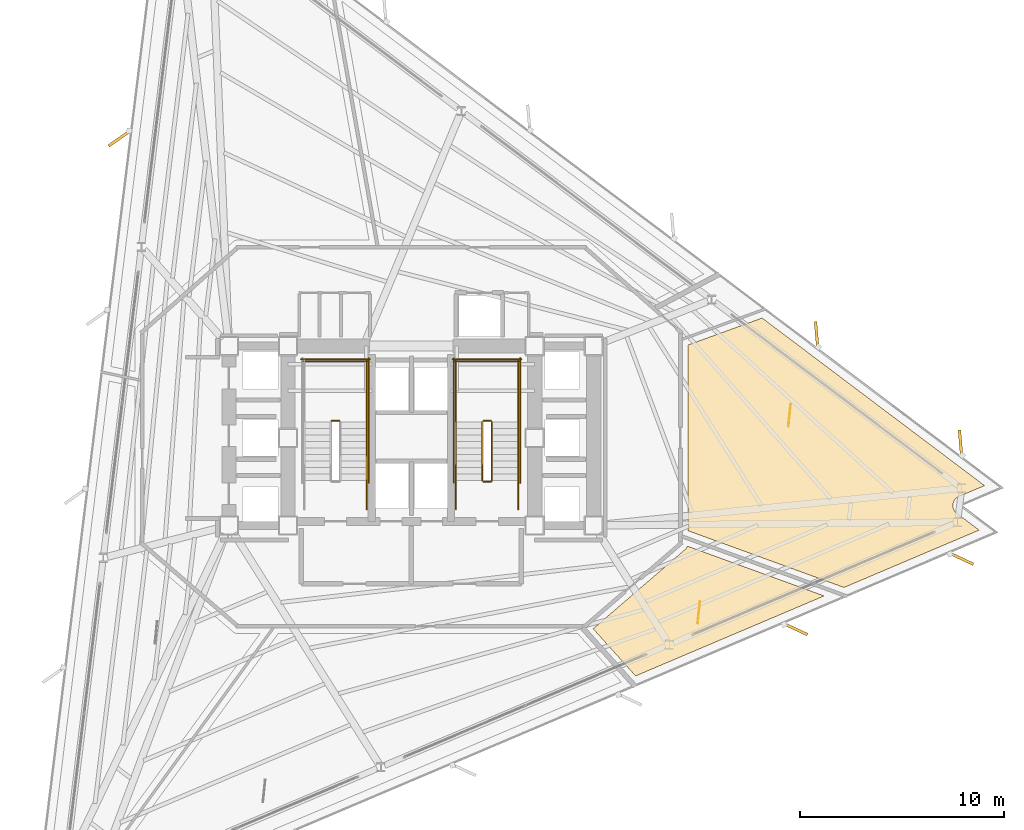
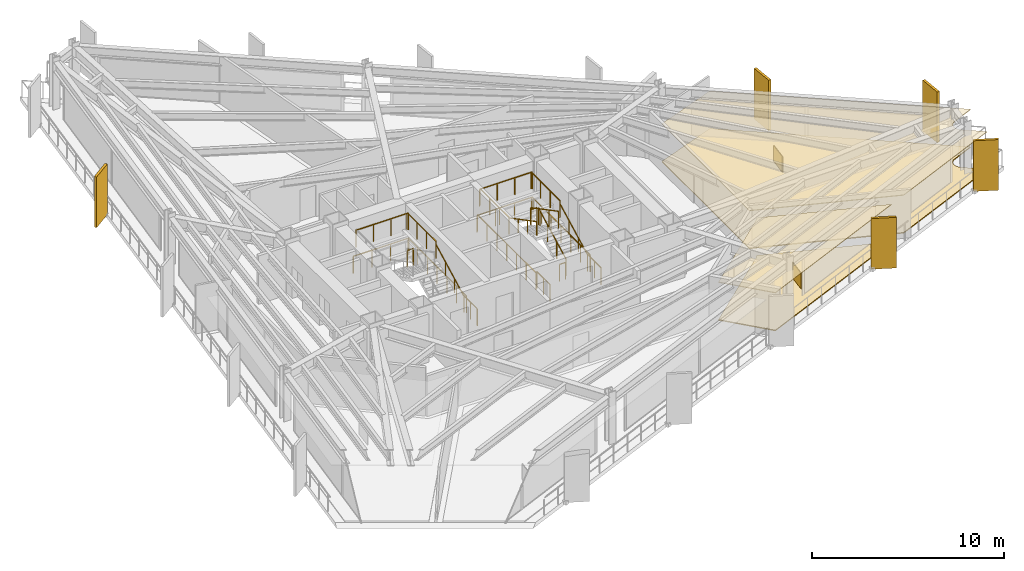
# One storey, part 12 of 13: 21 railings, 6 coverings, 5 shading devices.
"""IFC4 building model written with IfcOpenShell, lengths in metres."""

from ifc_helpers import new_model, si_unit, direction, frame, origin, origin_2d, place, context, subcontext, project, spatial, polyline, rectangle, outline, extrude, material, layer, layer_set, type_object, element, save


model = new_model("IFC4")

# Units and contexts
model_context = context("Model", 3, precision=1e-05, world=origin(), true_north=direction((0.0, 1.0)))
body_context = subcontext(model_context, "Body", "Model", "MODEL_VIEW")
ifc_project = project(units=[si_unit("LENGTHUNIT", "METRE"), si_unit("AREAUNIT", "SQUARE_METRE"), si_unit("VOLUMEUNIT", "CUBIC_METRE"), si_unit("PLANEANGLEUNIT", "RADIAN"), si_unit("MASSUNIT", "GRAM", prefix="KILO")], contexts=[model_context])

# Site, building, storey
site_placement = place(None, origin())
site = spatial("IfcSite", under=ifc_project, at=site_placement, CompositionType="ELEMENT")
building_placement = place(site_placement, origin())
building = spatial("IfcBuilding", under=site, at=building_placement, Name="Rocaltana Carrier Exchange", CompositionType="ELEMENT")
storey_placement = place(building_placement, frame((0.0, 0.0, 69.760009765625)))
storey = spatial("IfcBuildingStorey", under=building, at=storey_placement, Name="L21", CompositionType="ELEMENT", Elevation=69.760009765625)

# Coverings
ifc_material_1 = material(Name="Calcium Sulphate & Aluminium Pedestal", Category="aluminium")
ifc_layer_1 = layer(ifc_material_1, 0.06005859375)
ifc_layer_set_1 = layer_set([ifc_layer_1], Name="Calcium Sulphate & Aluminium Pedestal")
covering_type_1 = type_object("IfcCoveringType", Name="Anti-Static Raised Exchange Access Floor 60", PredefinedType="FLOORING", material=ifc_layer_set_1)
covering_1_placement = place(storey_placement, origin())
element("IfcCovering", 1, at=covering_1_placement, inside=storey, type_object=covering_type_1, Name="L21 Cloud Architecture Office Finish Floor", PredefinedType="FLOORING", context=body_context, shape_type="SweptSolid", body=[
    extrude(outline(polyline([(8.917236328125, -9.365478515625), (13.43505859375, -5.47265625), (13.44482421875, -5.4638671875), (13.450439453125, -5.45849609375), (13.468994140625, -5.439208984375), (13.47412109375, -5.433349609375), (13.490478515625, -5.41259765625), (13.4951171875, -5.40625), (13.509521484375, -5.3837890625), (13.51318359375, -5.377197265625), (13.525634765625, -5.353515625), (13.52880859375, -5.346435546875), (13.538818359375, -5.32177734375), (13.541259765625, -5.314453125), (13.5419921875, -5.31201171875), (20.251708984375, -7.754150390625), (11.001708984375, -11.6806640625), (8.917236328125, -9.365478515625)])), origin(), (0.0, 0.0, 1.0), 0.06005859375),
])
covering_2_placement = place(storey_placement, origin())
element("IfcCovering", 2, at=covering_2_placement, inside=storey, type_object=covering_type_1, Name="L21 Optical Switching Laboratory Finish Floor", PredefinedType="FLOORING", context=body_context, shape_type="SweptSolid", body=[
    extrude(outline(polyline([(28.1201171875, -2.344482421875), (26.860107421875, -2.87939453125), (26.847412109375, -2.885009765625), (26.82958984375, -2.893798828125), (26.80517578125, -2.906982421875), (26.7880859375, -2.91748046875), (26.76513671875, -2.933349609375), (26.749267578125, -2.9453125), (26.727783203125, -2.96337890625), (26.71337890625, -2.97705078125), (26.69384765625, -2.9970703125), (26.6806640625, -3.01220703125), (26.663330078125, -3.033935546875), (26.65185546875, -3.050048828125), (26.63671875, -3.073486328125), (26.626708984375, -3.0908203125), (26.614013671875, -3.11572265625), (26.60595703125, -3.134033203125), (26.595703125, -3.159912109375), (26.589599609375, -3.178955078125), (26.58203125, -3.205810546875), (26.57763671875, -3.225341796875), (26.57275390625, -3.252685546875), (26.5703125, -3.2724609375), (26.568359375, -3.30029296875), (26.56787109375, -3.3203125), (26.568603515625, -3.34814453125), (26.5703125, -3.3681640625), (26.57373046875, -3.395751953125), (26.577392578125, -3.415283203125), (26.58349609375, -3.442626953125), (26.589111328125, -3.4619140625), (26.597900390625, -3.48828125), (26.605224609375, -3.5068359375), (26.616943359375, -3.5322265625), (26.6259765625, -3.5498046875), (26.639892578125, -3.573974609375), (26.65087890625, -3.5908203125), (26.667236328125, -3.61328125), (26.6796875, -3.62890625), (26.6982421875, -3.64990234375), (26.712158203125, -3.6640625), (26.732666015625, -3.68310546875), (26.748046875, -3.69580078125), (26.7587890625, -3.70458984375), (27.851806640625, -4.528076171875), (21.223388671875, -7.341552734375), (13.56005859375, -4.55224609375), (13.56005859375, 4.55224609375), (17.20654296875, 5.87939453125), (28.1201171875, -2.344482421875)])), origin(), (0.0, 0.0, 1.0), 0.06005859375),
])
ifc_material_2 = material(Name="Mineral Fibre & Powder-Coated Aluminium", Category="aluminium")
ifc_layer_2 = layer(ifc_material_2, 0.044921875)
ifc_layer_set_2 = layer_set([ifc_layer_2], Name="Mineral Fibre & Powder-Coated Aluminium")
covering_type_2 = type_object("IfcCoveringType", Name="Micro-Perforated Acoustic Ceiling 45", PredefinedType="CEILING", material=ifc_layer_set_2)
covering_3_placement = place(storey_placement, frame((0.0, 0.0, 2.403076171875)))
element("IfcCovering", 3, at=covering_3_placement, inside=storey, type_object=covering_type_2, Name="L21 Cloud Architecture Office Acoustic Ceiling", PredefinedType="CEILING", context=body_context, shape_type="SweptSolid", body=[
    extrude(outline(polyline([(8.917236328125, -9.365478515625), (13.43505859375, -5.47265625), (13.44482421875, -5.4638671875), (13.450439453125, -5.45849609375), (13.468994140625, -5.439208984375), (13.47412109375, -5.433349609375), (13.490478515625, -5.41259765625), (13.4951171875, -5.40625), (13.509521484375, -5.3837890625), (13.51318359375, -5.377197265625), (13.525634765625, -5.353515625), (13.52880859375, -5.346435546875), (13.538818359375, -5.32177734375), (13.541259765625, -5.314453125), (13.5419921875, -5.31201171875), (20.251708984375, -7.754150390625), (11.001708984375, -11.6806640625), (8.917236328125, -9.365478515625)])), origin(), (0.0, 0.0, 1.0), 0.044921875),
])
covering_4_placement = place(storey_placement, frame((0.0, 0.0, 2.403076171875)))
element("IfcCovering", 4, at=covering_4_placement, inside=storey, type_object=covering_type_2, Name="L21 Optical Switching Laboratory Acoustic Ceiling", PredefinedType="CEILING", context=body_context, shape_type="SweptSolid", body=[
    extrude(outline(polyline([(28.1201171875, -2.344482421875), (26.860107421875, -2.87939453125), (26.847412109375, -2.885009765625), (26.82958984375, -2.893798828125), (26.80517578125, -2.906982421875), (26.7880859375, -2.91748046875), (26.76513671875, -2.933349609375), (26.749267578125, -2.9453125), (26.727783203125, -2.96337890625), (26.71337890625, -2.97705078125), (26.69384765625, -2.9970703125), (26.6806640625, -3.01220703125), (26.663330078125, -3.033935546875), (26.65185546875, -3.050048828125), (26.63671875, -3.073486328125), (26.626708984375, -3.0908203125), (26.614013671875, -3.11572265625), (26.60595703125, -3.134033203125), (26.595703125, -3.159912109375), (26.589599609375, -3.178955078125), (26.58203125, -3.205810546875), (26.57763671875, -3.225341796875), (26.57275390625, -3.252685546875), (26.5703125, -3.2724609375), (26.568359375, -3.30029296875), (26.56787109375, -3.3203125), (26.568603515625, -3.34814453125), (26.5703125, -3.3681640625), (26.57373046875, -3.395751953125), (26.577392578125, -3.415283203125), (26.58349609375, -3.442626953125), (26.589111328125, -3.4619140625), (26.597900390625, -3.48828125), (26.605224609375, -3.5068359375), (26.616943359375, -3.5322265625), (26.6259765625, -3.5498046875), (26.639892578125, -3.573974609375), (26.65087890625, -3.5908203125), (26.667236328125, -3.61328125), (26.6796875, -3.62890625), (26.6982421875, -3.64990234375), (26.712158203125, -3.6640625), (26.732666015625, -3.68310546875), (26.748046875, -3.69580078125), (26.7587890625, -3.70458984375), (27.851806640625, -4.528076171875), (21.223388671875, -7.341552734375), (13.56005859375, -4.55224609375), (13.56005859375, 4.55224609375), (17.20654296875, 5.87939453125), (28.1201171875, -2.344482421875)])), origin(), (0.0, 0.0, 1.0), 0.044921875),
])

# Railings
ifc_material_3 = material(Name="Brushed Architectural Stainless Tube", Category="steel")
ifc_layer_3 = layer(ifc_material_3, 0.048095703125)
ifc_layer_set_3 = layer_set([ifc_layer_3], Name="Brushed Architectural Stainless Tube")
railing_type_1 = type_object("IfcRailingType", Name="Stair Wall Handrail 920", PredefinedType="HANDRAIL", material=ifc_layer_set_3)
for number, where, name in (
    (5, (-2.18994140625, -2.10009765625, 0.16796875), "L21 ST-1 stair handrail 1"),
    (6, (5.25, -2.10009765625, 0.16796875), "L21 ST-2 stair handrail 1"),
):
    element("IfcRailing", number, at=place(storey_placement, frame(where)), inside=storey, type_object=railing_type_1, Name=name, PredefinedType="HANDRAIL", context=body_context, shape_type="SweptSolid", body=[
        extrude(rectangle(XDim=0.048095703125, YDim=0.048095703125, at=origin_2d()), frame((0.0, 0.0, 0.8759765625), z_axis=(0.0, 0.885411030485, 0.464808893091), x_axis=(-1.0, 0.0, 0.0)), (0.0, 0.0, 1.0), 3.2529296875),
        extrude(rectangle(XDim=0.0419921875, YDim=0.0419921875, at=origin_2d()), origin(), (0.0, 0.0, 1.0), 0.851806640625),
        extrude(rectangle(XDim=0.0419921875, YDim=0.0419921875, at=origin_2d()), frame((0.0, 0.9599609375, 0.50390625)), (0.0, 0.0, 1.0), 0.851806640625),
        extrude(rectangle(XDim=0.0419921875, YDim=0.0419921875, at=origin_2d()), frame((0.0, 1.920166015625, 1.008056640625)), (0.0, 0.0, 1.0), 0.851806640625),
        extrude(rectangle(XDim=0.0419921875, YDim=0.0419921875, at=origin_2d()), frame((0.0, 2.880126953125, 1.511962890625)), (0.0, 0.0, 1.0), 0.851806640625),
    ])
railing_1_placement = place(storey_placement, frame((2.18994140625, 0.780029296875, 1.847900390625)))
element("IfcRailing", 7, at=railing_1_placement, inside=storey, type_object=railing_type_1, Name="L21 ST-2 stair handrail 2", PredefinedType="HANDRAIL", context=body_context, shape_type="SweptSolid", body=[
    extrude(rectangle(XDim=0.048095703125, YDim=0.048095703125, at=origin_2d()), frame((0.0, 0.0, 0.8759765625), z_axis=(0.0, -0.8853801414, 0.46486772873), x_axis=(1.0, 0.0, 0.0)), (0.0, 0.0, 1.0), 3.2529296875),
    extrude(rectangle(XDim=0.0419921875, YDim=0.0419921875, at=origin_2d()), origin(), (0.0, 0.0, 1.0), 0.851806640625),
    extrude(rectangle(XDim=0.0419921875, YDim=0.0419921875, at=origin_2d()), frame((0.0, -0.9599609375, 0.504150390625)), (0.0, 0.0, 1.0), 0.851806640625),
    extrude(rectangle(XDim=0.0419921875, YDim=0.0419921875, at=origin_2d()), frame((0.0, -1.920166015625, 1.008056640625)), (0.0, 0.0, 1.0), 0.851806640625),
    extrude(rectangle(XDim=0.0419921875, YDim=0.0419921875, at=origin_2d()), frame((0.0, -2.880126953125, 1.51220703125)), (0.0, 0.0, 1.0), 0.851806640625),
])
ifc_material_4 = material(Name="Powder-Coated Aluminium 6063-T6", Category="aluminium")
ifc_layer_4 = layer(ifc_material_4, 0.048095703125)
ifc_layer_set_4 = layer_set([ifc_layer_4], Name="Powder-Coated Aluminium 6063-T6")
railing_type_2 = type_object("IfcRailingType", Name="Stair Well Guardrail 1100", PredefinedType="GUARDRAIL", material=ifc_layer_set_4)
railing_2_placement = place(storey_placement, frame((-3.5400390625, 0.830078125, 1.679931640625)))
element("IfcRailing", 8, at=railing_2_placement, inside=storey, type_object=railing_type_2, Name="L21 ST-1 stair guard 2", PredefinedType="GUARDRAIL", context=body_context, shape_type="SweptSolid", body=[
    extrude(rectangle(XDim=0.048095703125, YDim=0.048095703125, at=origin_2d()), frame((0.0, 0.0, 1.076171875), z_axis=(-1.0, 0.0, 0.0), x_axis=(0.0, -1.0, 0.0)), (0.0, 0.0, 1.0), 0.35986328125),
    extrude(rectangle(XDim=0.0419921875, YDim=0.0419921875, at=origin_2d()), origin(), (0.0, 0.0, 1.0), 1.052001953125),
    extrude(rectangle(XDim=0.0419921875, YDim=0.0419921875, at=origin_2d()), frame((-0.35986328125, 0.0, 0.0)), (0.0, 0.0, 1.0), 1.052001953125),
])
railing_3_placement = place(storey_placement, frame((-2.18994140625, 0.780029296875, 1.679931640625)))
element("IfcRailing", 9, at=railing_3_placement, inside=storey, type_object=railing_type_2, Name="L21 ST-1 stair guard 3", PredefinedType="GUARDRAIL", context=body_context, shape_type="SweptSolid", body=[
    extrude(rectangle(XDim=0.048095703125, YDim=0.048095703125, at=origin_2d()), frame((0.0, 0.0, 1.076171875), z_axis=(0.0, 1.0, 0.0), x_axis=(-1.0, 0.0, 0.0)), (0.0, 0.0, 1.0), 3.02001953125),
    extrude(rectangle(XDim=0.0419921875, YDim=0.0419921875, at=origin_2d()), origin(), (0.0, 0.0, 1.0), 1.052001953125),
    extrude(rectangle(XDim=0.0419921875, YDim=0.0419921875, at=origin_2d()), frame((0.0, 1.006591796875, 0.0)), (0.0, 0.0, 1.0), 1.052001953125),
    extrude(rectangle(XDim=0.0419921875, YDim=0.0419921875, at=origin_2d()), frame((0.0, 2.013427734375, 0.0)), (0.0, 0.0, 1.0), 1.052001953125),
    extrude(rectangle(XDim=0.0419921875, YDim=0.0419921875, at=origin_2d()), frame((0.0, 3.02001953125, 0.0)), (0.0, 0.0, 1.0), 1.052001953125),
])
railing_4_placement = place(storey_placement, frame((-2.139892578125, 3.75, 1.679931640625)))
element("IfcRailing", 10, at=railing_4_placement, inside=storey, type_object=railing_type_2, Name="L21 ST-1 stair guard 5", PredefinedType="GUARDRAIL", context=body_context, shape_type="SweptSolid", body=[
    extrude(rectangle(XDim=0.048095703125, YDim=0.048095703125, at=origin_2d()), frame((0.0, 0.0, 1.076171875), z_axis=(-1.0, 0.0, 0.0), x_axis=(0.0, -1.0, 0.0)), (0.0, 0.0, 1.0), 3.16015625),
    extrude(rectangle(XDim=0.0419921875, YDim=0.0419921875, at=origin_2d()), origin(), (0.0, 0.0, 1.0), 1.052001953125),
    extrude(rectangle(XDim=0.0419921875, YDim=0.0419921875, at=origin_2d()), frame((-1.053466796875, 0.0, 0.0)), (0.0, 0.0, 1.0), 1.052001953125),
    extrude(rectangle(XDim=0.0419921875, YDim=0.0419921875, at=origin_2d()), frame((-2.106689453125, 0.0, 0.0)), (0.0, 0.0, 1.0), 1.052001953125),
    extrude(rectangle(XDim=0.0419921875, YDim=0.0419921875, at=origin_2d()), frame((-3.16015625, 0.0, 0.0)), (0.0, 0.0, 1.0), 1.052001953125),
])
railing_5_placement = place(storey_placement, frame((-2.18994140625, -3.5, 0.0)))
element("IfcRailing", 11, at=railing_5_placement, inside=storey, type_object=railing_type_2, Name="L21 ST-1 stair guard 8", PredefinedType="GUARDRAIL", context=body_context, shape_type="SweptSolid", body=[
    extrude(rectangle(XDim=0.048095703125, YDim=0.048095703125, at=origin_2d()), frame((0.0, 0.0, 1.076171875), z_axis=(0.0, 1.0, 0.0), x_axis=(-1.0, 0.0, 0.0)), (0.0, 0.0, 1.0), 1.39990234375),
    extrude(rectangle(XDim=0.0419921875, YDim=0.0419921875, at=origin_2d()), origin(), (0.0, 0.0, 1.0), 1.052001953125),
    extrude(rectangle(XDim=0.0419921875, YDim=0.0419921875, at=origin_2d()), frame((0.0, 0.699951171875, 0.0)), (0.0, 0.0, 1.0), 1.052001953125),
    extrude(rectangle(XDim=0.0419921875, YDim=0.0419921875, at=origin_2d()), frame((0.0, 1.39990234375, 0.0)), (0.0, 0.0, 1.0), 1.052001953125),
])
railing_6_placement = place(storey_placement, frame((-2.090087890625, -2.199951171875, 0.0)))
element("IfcRailing", 12, at=railing_6_placement, inside=storey, type_object=railing_type_2, Name="L21 ST-1 stair guard 10", PredefinedType="GUARDRAIL", context=body_context, shape_type="SweptSolid", body=[
    extrude(rectangle(XDim=0.048095703125, YDim=0.048095703125, at=origin_2d()), frame((0.0, 0.0, 1.076171875), z_axis=(0.0, 1.0, 0.0), x_axis=(-1.0, 0.0, 0.0)), (0.0, 0.0, 1.0), 6.099853515625),
    extrude(rectangle(XDim=0.0419921875, YDim=0.0419921875, at=origin_2d()), origin(), (0.0, 0.0, 1.0), 1.052001953125),
    extrude(rectangle(XDim=0.0419921875, YDim=0.0419921875, at=origin_2d()), frame((0.0, 1.0166015625, 0.0)), (0.0, 0.0, 1.0), 1.052001953125),
    extrude(rectangle(XDim=0.0419921875, YDim=0.0419921875, at=origin_2d()), frame((0.0, 2.033203125, 0.0)), (0.0, 0.0, 1.0), 1.052001953125),
    extrude(rectangle(XDim=0.0419921875, YDim=0.0419921875, at=origin_2d()), frame((0.0, 3.0498046875, 0.0)), (0.0, 0.0, 1.0), 1.052001953125),
    extrude(rectangle(XDim=0.0419921875, YDim=0.0419921875, at=origin_2d()), frame((0.0, 4.066650390625, 0.0)), (0.0, 0.0, 1.0), 1.052001953125),
    extrude(rectangle(XDim=0.0419921875, YDim=0.0419921875, at=origin_2d()), frame((0.0, 5.083251953125, 0.0)), (0.0, 0.0, 1.0), 1.052001953125),
    extrude(rectangle(XDim=0.0419921875, YDim=0.0419921875, at=origin_2d()), frame((0.0, 6.099853515625, 0.0)), (0.0, 0.0, 1.0), 1.052001953125),
])
railing_7_placement = place(storey_placement, frame((-2.0400390625, 3.85009765625, 0.0)))
element("IfcRailing", 13, at=railing_7_placement, inside=storey, type_object=railing_type_2, Name="L21 ST-1 stair guard 12", PredefinedType="GUARDRAIL", context=body_context, shape_type="SweptSolid", body=[
    extrude(rectangle(XDim=0.048095703125, YDim=0.048095703125, at=origin_2d()), frame((0.0, 0.0, 1.076171875), z_axis=(-1.0, 0.0, 0.0), x_axis=(0.0, -1.0, 0.0)), (0.0, 0.0, 1.0), 3.35986328125),
    extrude(rectangle(XDim=0.0419921875, YDim=0.0419921875, at=origin_2d()), origin(), (0.0, 0.0, 1.0), 1.052001953125),
    extrude(rectangle(XDim=0.0419921875, YDim=0.0419921875, at=origin_2d()), frame((-1.119873046875, 0.0, 0.0)), (0.0, 0.0, 1.0), 1.052001953125),
    extrude(rectangle(XDim=0.0419921875, YDim=0.0419921875, at=origin_2d()), frame((-2.239990234375, 0.0, 0.0)), (0.0, 0.0, 1.0), 1.052001953125),
    extrude(rectangle(XDim=0.0419921875, YDim=0.0419921875, at=origin_2d()), frame((-3.35986328125, 0.0, 0.0)), (0.0, 0.0, 1.0), 1.052001953125),
])
railing_8_placement = place(storey_placement, frame((3.949951171875, -2.10009765625, 0.16796875)))
element("IfcRailing", 14, at=railing_8_placement, inside=storey, type_object=railing_type_2, Name="L21 ST-2 stair guard 1", PredefinedType="GUARDRAIL", context=body_context, shape_type="SweptSolid", body=[
    extrude(rectangle(XDim=0.048095703125, YDim=0.048095703125, at=origin_2d()), frame((0.0, 0.0, 1.076171875), z_axis=(0.0, 0.885411030485, 0.464808893091), x_axis=(-1.0, 0.0, 0.0)), (0.0, 0.0, 1.0), 3.2529296875),
    extrude(rectangle(XDim=0.0419921875, YDim=0.0419921875, at=origin_2d()), origin(), (0.0, 0.0, 1.0), 1.052001953125),
    extrude(rectangle(XDim=0.0419921875, YDim=0.0419921875, at=origin_2d()), frame((0.0, 0.9599609375, 0.50390625)), (0.0, 0.0, 1.0), 1.052001953125),
    extrude(rectangle(XDim=0.0419921875, YDim=0.0419921875, at=origin_2d()), frame((0.0, 1.920166015625, 1.008056640625)), (0.0, 0.0, 1.0), 1.052001953125),
    extrude(rectangle(XDim=0.0419921875, YDim=0.0419921875, at=origin_2d()), frame((0.0, 2.880126953125, 1.511962890625)), (0.0, 0.0, 1.0), 1.052001953125),
])
railing_9_placement = place(storey_placement, frame((3.89990234375, 0.830078125, 1.679931640625)))
element("IfcRailing", 15, at=railing_9_placement, inside=storey, type_object=railing_type_2, Name="L21 ST-2 stair guard 2", PredefinedType="GUARDRAIL", context=body_context, shape_type="SweptSolid", body=[
    extrude(rectangle(XDim=0.048095703125, YDim=0.048095703125, at=origin_2d()), frame((0.0, 0.0, 1.076171875), z_axis=(-1.0, 0.0, 0.0), x_axis=(0.0, -1.0, 0.0)), (0.0, 0.0, 1.0), 0.35986328125),
    extrude(rectangle(XDim=0.0419921875, YDim=0.0419921875, at=origin_2d()), origin(), (0.0, 0.0, 1.0), 1.052001953125),
    extrude(rectangle(XDim=0.0419921875, YDim=0.0419921875, at=origin_2d()), frame((-0.35986328125, 0.0, 0.0)), (0.0, 0.0, 1.0), 1.052001953125),
])
for number, where, name in (
    (16, (5.25, 0.780029296875, 1.679931640625), "L21 ST-2 stair guard 3"),
    (17, (2.18994140625, 0.780029296875, 1.679931640625), "L21 ST-2 stair guard 4"),
):
    element("IfcRailing", number, at=place(storey_placement, frame(where)), inside=storey, type_object=railing_type_2, Name=name, PredefinedType="GUARDRAIL", context=body_context, shape_type="SweptSolid", body=[
        extrude(rectangle(XDim=0.048095703125, YDim=0.048095703125, at=origin_2d()), frame((0.0, 0.0, 1.076171875), z_axis=(0.0, 1.0, 0.0), x_axis=(-1.0, 0.0, 0.0)), (0.0, 0.0, 1.0), 3.02001953125),
        extrude(rectangle(XDim=0.0419921875, YDim=0.0419921875, at=origin_2d()), origin(), (0.0, 0.0, 1.0), 1.052001953125),
        extrude(rectangle(XDim=0.0419921875, YDim=0.0419921875, at=origin_2d()), frame((0.0, 1.006591796875, 0.0)), (0.0, 0.0, 1.0), 1.052001953125),
        extrude(rectangle(XDim=0.0419921875, YDim=0.0419921875, at=origin_2d()), frame((0.0, 2.013427734375, 0.0)), (0.0, 0.0, 1.0), 1.052001953125),
        extrude(rectangle(XDim=0.0419921875, YDim=0.0419921875, at=origin_2d()), frame((0.0, 3.02001953125, 0.0)), (0.0, 0.0, 1.0), 1.052001953125),
    ])
railing_10_placement = place(storey_placement, frame((5.300048828125, 3.75, 1.679931640625)))
element("IfcRailing", 18, at=railing_10_placement, inside=storey, type_object=railing_type_2, Name="L21 ST-2 stair guard 5", PredefinedType="GUARDRAIL", context=body_context, shape_type="SweptSolid", body=[
    extrude(rectangle(XDim=0.048095703125, YDim=0.048095703125, at=origin_2d()), frame((0.0, 0.0, 1.076171875), z_axis=(-1.0, 0.0, 0.0), x_axis=(0.0, -1.0, 0.0)), (0.0, 0.0, 1.0), 3.16015625),
    extrude(rectangle(XDim=0.0419921875, YDim=0.0419921875, at=origin_2d()), origin(), (0.0, 0.0, 1.0), 1.052001953125),
    extrude(rectangle(XDim=0.0419921875, YDim=0.0419921875, at=origin_2d()), frame((-1.053466796875, 0.0, 0.0)), (0.0, 0.0, 1.0), 1.052001953125),
    extrude(rectangle(XDim=0.0419921875, YDim=0.0419921875, at=origin_2d()), frame((-2.106689453125, 0.0, 0.0)), (0.0, 0.0, 1.0), 1.052001953125),
    extrude(rectangle(XDim=0.0419921875, YDim=0.0419921875, at=origin_2d()), frame((-3.16015625, 0.0, 0.0)), (0.0, 0.0, 1.0), 1.052001953125),
])
railing_11_placement = place(storey_placement, frame((3.489990234375, 0.780029296875, 1.847900390625)))
element("IfcRailing", 19, at=railing_11_placement, inside=storey, type_object=railing_type_2, Name="L21 ST-2 stair guard 6", PredefinedType="GUARDRAIL", context=body_context, shape_type="SweptSolid", body=[
    extrude(rectangle(XDim=0.048095703125, YDim=0.048095703125, at=origin_2d()), frame((0.0, 0.0, 1.076171875), z_axis=(0.0, -0.8853801414, 0.46486772873), x_axis=(1.0, 0.0, 0.0)), (0.0, 0.0, 1.0), 3.2529296875),
    extrude(rectangle(XDim=0.0419921875, YDim=0.0419921875, at=origin_2d()), origin(), (0.0, 0.0, 1.0), 1.052001953125),
    extrude(rectangle(XDim=0.0419921875, YDim=0.0419921875, at=origin_2d()), frame((0.0, -0.9599609375, 0.504150390625)), (0.0, 0.0, 1.0), 1.052001953125),
    extrude(rectangle(XDim=0.0419921875, YDim=0.0419921875, at=origin_2d()), frame((0.0, -1.920166015625, 1.008056640625)), (0.0, 0.0, 1.0), 1.052001953125),
    extrude(rectangle(XDim=0.0419921875, YDim=0.0419921875, at=origin_2d()), frame((0.0, -2.880126953125, 1.51220703125)), (0.0, 0.0, 1.0), 1.052001953125),
])
railing_12_placement = place(storey_placement, frame((3.89990234375, -2.14990234375, 0.0)))
element("IfcRailing", 20, at=railing_12_placement, inside=storey, type_object=railing_type_2, Name="L21 ST-2 stair guard 7", PredefinedType="GUARDRAIL", context=body_context, shape_type="SweptSolid", body=[
    extrude(rectangle(XDim=0.048095703125, YDim=0.048095703125, at=origin_2d()), frame((0.0, 0.0, 1.076171875), z_axis=(-1.0, 0.0, 0.0), x_axis=(0.0, -1.0, 0.0)), (0.0, 0.0, 1.0), 0.35986328125),
    extrude(rectangle(XDim=0.0419921875, YDim=0.0419921875, at=origin_2d()), origin(), (0.0, 0.0, 1.0), 1.052001953125),
    extrude(rectangle(XDim=0.0419921875, YDim=0.0419921875, at=origin_2d()), frame((-0.35986328125, 0.0, 0.0)), (0.0, 0.0, 1.0), 1.052001953125),
])
for number, where, name in (
    (21, (5.25, -3.5, 0.0), "L21 ST-2 stair guard 8"),
    (22, (2.18994140625, -3.5, 0.0), "L21 ST-2 stair guard 9"),
):
    element("IfcRailing", number, at=place(storey_placement, frame(where)), inside=storey, type_object=railing_type_2, Name=name, PredefinedType="GUARDRAIL", context=body_context, shape_type="SweptSolid", body=[
        extrude(rectangle(XDim=0.048095703125, YDim=0.048095703125, at=origin_2d()), frame((0.0, 0.0, 1.076171875), z_axis=(0.0, 1.0, 0.0), x_axis=(-1.0, 0.0, 0.0)), (0.0, 0.0, 1.0), 1.39990234375),
        extrude(rectangle(XDim=0.0419921875, YDim=0.0419921875, at=origin_2d()), origin(), (0.0, 0.0, 1.0), 1.052001953125),
        extrude(rectangle(XDim=0.0419921875, YDim=0.0419921875, at=origin_2d()), frame((0.0, 0.699951171875, 0.0)), (0.0, 0.0, 1.0), 1.052001953125),
        extrude(rectangle(XDim=0.0419921875, YDim=0.0419921875, at=origin_2d()), frame((0.0, 1.39990234375, 0.0)), (0.0, 0.0, 1.0), 1.052001953125),
    ])
for number, where, name in (
    (23, (5.35009765625, -2.199951171875, 0.0), "L21 ST-2 stair guard 10"),
    (24, (2.090087890625, -2.199951171875, 0.0), "L21 ST-2 stair guard 11"),
):
    element("IfcRailing", number, at=place(storey_placement, frame(where)), inside=storey, type_object=railing_type_2, Name=name, PredefinedType="GUARDRAIL", context=body_context, shape_type="SweptSolid", body=[
        extrude(rectangle(XDim=0.048095703125, YDim=0.048095703125, at=origin_2d()), frame((0.0, 0.0, 1.076171875), z_axis=(0.0, 1.0, 0.0), x_axis=(-1.0, 0.0, 0.0)), (0.0, 0.0, 1.0), 6.099853515625),
        extrude(rectangle(XDim=0.0419921875, YDim=0.0419921875, at=origin_2d()), origin(), (0.0, 0.0, 1.0), 1.052001953125),
        extrude(rectangle(XDim=0.0419921875, YDim=0.0419921875, at=origin_2d()), frame((0.0, 1.0166015625, 0.0)), (0.0, 0.0, 1.0), 1.052001953125),
        extrude(rectangle(XDim=0.0419921875, YDim=0.0419921875, at=origin_2d()), frame((0.0, 2.033203125, 0.0)), (0.0, 0.0, 1.0), 1.052001953125),
        extrude(rectangle(XDim=0.0419921875, YDim=0.0419921875, at=origin_2d()), frame((0.0, 3.0498046875, 0.0)), (0.0, 0.0, 1.0), 1.052001953125),
        extrude(rectangle(XDim=0.0419921875, YDim=0.0419921875, at=origin_2d()), frame((0.0, 4.066650390625, 0.0)), (0.0, 0.0, 1.0), 1.052001953125),
        extrude(rectangle(XDim=0.0419921875, YDim=0.0419921875, at=origin_2d()), frame((0.0, 5.083251953125, 0.0)), (0.0, 0.0, 1.0), 1.052001953125),
        extrude(rectangle(XDim=0.0419921875, YDim=0.0419921875, at=origin_2d()), frame((0.0, 6.099853515625, 0.0)), (0.0, 0.0, 1.0), 1.052001953125),
    ])
railing_13_placement = place(storey_placement, frame((5.39990234375, 3.85009765625, 0.0)))
element("IfcRailing", 25, at=railing_13_placement, inside=storey, type_object=railing_type_2, Name="L21 ST-2 stair guard 12", PredefinedType="GUARDRAIL", context=body_context, shape_type="SweptSolid", body=[
    extrude(rectangle(XDim=0.048095703125, YDim=0.048095703125, at=origin_2d()), frame((0.0, 0.0, 1.076171875), z_axis=(-1.0, 0.0, 0.0), x_axis=(0.0, -1.0, 0.0)), (0.0, 0.0, 1.0), 3.35986328125),
    extrude(rectangle(XDim=0.0419921875, YDim=0.0419921875, at=origin_2d()), origin(), (0.0, 0.0, 1.0), 1.052001953125),
    extrude(rectangle(XDim=0.0419921875, YDim=0.0419921875, at=origin_2d()), frame((-1.119873046875, 0.0, 0.0)), (0.0, 0.0, 1.0), 1.052001953125),
    extrude(rectangle(XDim=0.0419921875, YDim=0.0419921875, at=origin_2d()), frame((-2.239990234375, 0.0, 0.0)), (0.0, 0.0, 1.0), 1.052001953125),
    extrude(rectangle(XDim=0.0419921875, YDim=0.0419921875, at=origin_2d()), frame((-3.35986328125, 0.0, 0.0)), (0.0, 0.0, 1.0), 1.052001953125),
])

# Coverings
ifc_material_5 = material(Name="Honed Piedra Muneca Sandstone", Category="masonry")
ifc_layer_5 = layer(ifc_material_5, 0.034912109375)
ifc_layer_set_5 = layer_set([ifc_layer_5], Name="Honed Piedra Muneca Sandstone")
covering_type_3 = type_object("IfcCoveringType", Name="Stone Facade Cladding 35", PredefinedType="CLADDING", material=ifc_layer_set_5)
for number, where, z_axis, x_axis, name in (
    (26, (14.102783203125, -8.559814453125, 0.0), (0.0, 0.0, 1.0), (0.104528463268, 0.994521895368, 0.0), "L21 Stone Facade Cladding Panel 3"),
    (27, (18.552001953125, 1.10400390625, 0.0), (0.0, 0.0, 1.0), (0.104528463268, 0.994521895368, 0.0), "L21 Stone Facade Cladding Panel 4"),
):
    element("IfcCovering", number, at=place(storey_placement, frame(where, z_axis=z_axis, x_axis=x_axis)), inside=storey, type_object=covering_type_3, Name=name, PredefinedType="CLADDING", context=body_context, shape_type="SweptSolid", body=[
        extrude(rectangle(XDim=1.10009765625, YDim=0.034912109375, at=origin_2d()), origin(), (0.0, 0.0, 1.0), 1.050048828125),
    ])

# Shading devices
ifc_material_6 = material(Name="Honed Bogota Sandstone & Concrete C45/55", Category="masonry")
ifc_layer_6 = layer(ifc_material_6, 0.139892578125)
ifc_layer_set_6 = layer_set([ifc_layer_6], Name="Honed Bogota Sandstone & Concrete C45/55")
shading_device_type = type_object("IfcShadingDeviceType", Name="Vertical Sandstone Shading Fin 1320x140", PredefinedType="USERDEFINED", material=ifc_layer_set_6)
for number, where, z_axis, x_axis, name in (
    (28, (26.9423828125, -0.279052734375, -0.1201171875), (0.0, 0.0, 1.0), (-0.087155742748, 0.996194698092, 0.0), "L21 Sandstone Vertical Fin F1-01"),
    (29, (19.882568359375, 5.041015625, -0.1201171875), (0.0, 0.0, 1.0), (-0.087155742748, 0.996194698092, 0.0), "L21 Sandstone Vertical Fin F1-02"),
    (30, (-14.306884765625, 14.6982421875, -0.1201171875), (0.0, 0.0, 1.0), (-0.819152044289, -0.573576436351, 0.0), "L21 Sandstone Vertical Fin F2-02"),
    (31, (18.836181640625, -9.376953125, -0.1201171875), (0.0, 0.0, 1.0), (0.906307787037, -0.422618261741, 0.0), "L21 Sandstone Vertical Fin F3-05"),
    (32, (26.973388671875, -5.923095703125, -0.1201171875), (0.0, 0.0, 1.0), (0.906307787037, -0.422618261741, 0.0), "L21 Sandstone Vertical Fin F3-06"),
):
    element("IfcShadingDevice", number, at=place(storey_placement, frame(where, z_axis=z_axis, x_axis=x_axis)), inside=storey, type_object=shading_device_type, Name=name, ObjectType="FIN", PredefinedType="USERDEFINED", context=body_context, shape_type="SweptSolid", body=[
        extrude(rectangle(XDim=1.320068359375, YDim=0.139892578125, at=origin_2d()), origin(), (0.0, 0.0, 1.0), 3.218017578125),
    ])

save(model, "model.ifc")
